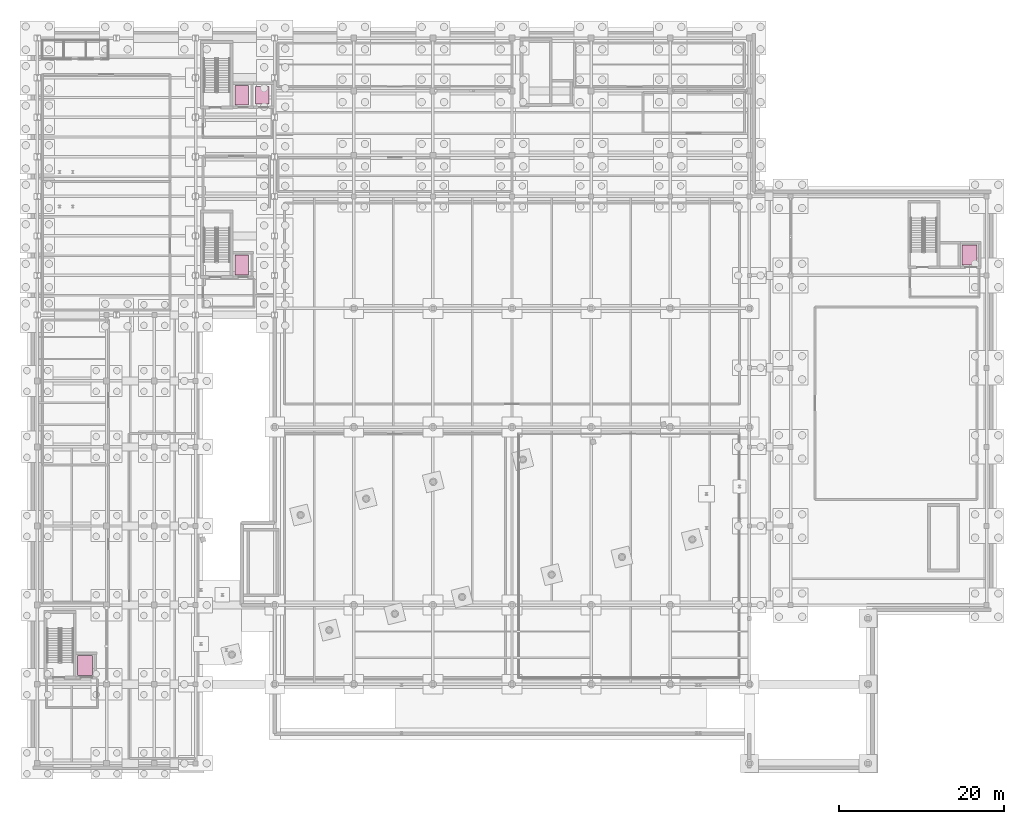
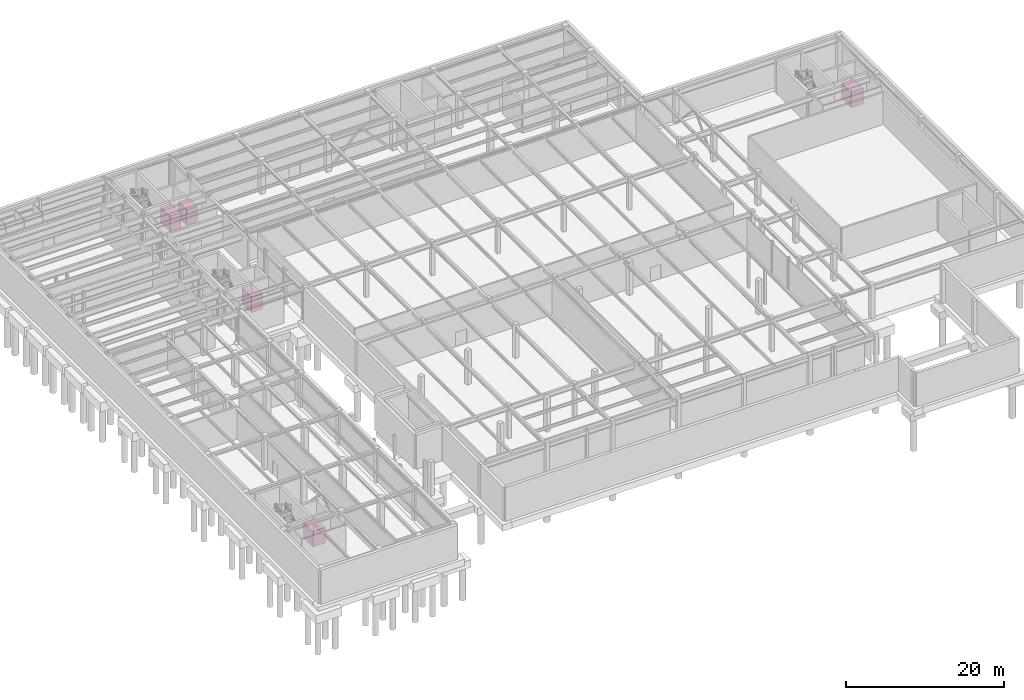
# One storey, part 33 of 33: 5 transport elements.
"""IFC4 building model written with IfcOpenShell, lengths in metres."""

import ifcopenshell
import ifcopenshell.guid

model = None  # the IFC model being written
_history = None  # IfcOwnerHistory: only IFC2X3 demands one
_inside = {}  # id of a spatial element -> (the spatial element, [elements in it])
_under = {}  # id of a project, library or spatial element -> (it, [spatial elements below it])
_declared = {}  # id of a project -> (the project, [libraries it declares])
_typed = {}  # id of a type object -> (the type object, [elements of that type])
_made_of = {}  # id of a material, layer set ... -> (it, [elements and type objects made of it])


def new_model(schema):
    """Start an empty IFC model of exactly this schema.

    Asked for "IFC4X3", IfcOpenShell would pick the latest addendum, in which some entities
    have other attributes; the version numbers below select the first issue.
    IFC2X3 requires an IfcOwnerHistory on every rooted entity: one is made here for all.
    """
    global model, _history
    if schema == "IFC4X3":
        model = ifcopenshell.file(schema_version=(4, 3, 0, 0))
    else:
        model = ifcopenshell.file(schema=schema)
    _inside.clear()
    _under.clear()
    _declared.clear()
    _typed.clear()
    _made_of.clear()
    _history = None
    if model.schema == "IFC2X3":
        org = make("IfcOrganization", Name="unknown")
        user = make(
            "IfcPersonAndOrganization",
            ThePerson=make("IfcPerson", FamilyName="unknown"),
            TheOrganization=org,
        )
        app = make(
            "IfcApplication",
            ApplicationDeveloper=org,
            Version="unknown",
            ApplicationFullName="unknown",
            ApplicationIdentifier="unknown",
        )
        _history = make(
            "IfcOwnerHistory",
            OwningUser=user,
            OwningApplication=app,
            ChangeAction="ADDED",
            CreationDate=0,
        )
    return model


def make(cls, **values):
    """One entity of the class cls with the attributes given. An attribute that is None is left unset."""
    return model.create_entity(
        cls, **{name: value for name, value in values.items() if value is not None}
    )


def rooted(cls, **values):
    """An entity with a GlobalId (a new one), such as an element, a storey or a relation."""
    return make(cls, GlobalId=ifcopenshell.guid.new(), OwnerHistory=_history, **values)


def si_unit(unit_type, name, prefix=None):
    """IfcSIUnit, for example si_unit("LENGTHUNIT", "METRE", prefix="MILLI")."""
    return make("IfcSIUnit", UnitType=unit_type, Prefix=prefix, Name=name)


def assignment(units):
    """IfcUnitAssignment: the units of a project."""
    return None if units is None else make("IfcUnitAssignment", Units=units)


def point(xyz):
    """IfcCartesianPoint."""
    return None if xyz is None else make("IfcCartesianPoint", Coordinates=xyz)


def direction(xyz):
    """IfcDirection."""
    return None if xyz is None else make("IfcDirection", DirectionRatios=xyz)


def frame(location, z_axis=None, x_axis=None):
    """IfcAxis2Placement3D, a coordinate frame: its origin and axes. An axis left out is left unset."""
    return make(
        "IfcAxis2Placement3D",
        Location=point(location),
        Axis=direction(z_axis),
        RefDirection=direction(x_axis),
    )


def frame_2d(location, x_axis=None):
    """IfcAxis2Placement2D, a coordinate frame in the plane: its origin and x axis."""
    return make(
        "IfcAxis2Placement2D", Location=point(location), RefDirection=direction(x_axis)
    )


def origin():
    """The frame at (0, 0, 0) with its axes left unset."""
    return frame((0.0, 0.0, 0.0))


def origin_2d():
    """The frame at (0, 0) in the plane with its x axis left unset."""
    return frame_2d((0.0, 0.0))


def place(relative_to, where):
    """IfcLocalPlacement: puts the frame where relative to a parent placement (None: the world)."""
    return make(
        "IfcLocalPlacement", PlacementRelTo=relative_to, RelativePlacement=where
    )


def context(
    kind, dimensions, precision=None, world=None, true_north=None, identifier=None
):
    """IfcGeometricRepresentationContext, for example the 3D "Model" context."""
    return make(
        "IfcGeometricRepresentationContext",
        ContextIdentifier=identifier,
        ContextType=kind,
        CoordinateSpaceDimension=dimensions,
        Precision=precision,
        WorldCoordinateSystem=world,
        TrueNorth=true_north,
    )


def subcontext(parent, identifier, kind, view, scale=None):
    """IfcGeometricRepresentationSubContext, for example "Body" below "Model"."""
    return make(
        "IfcGeometricRepresentationSubContext",
        ContextIdentifier=identifier,
        ContextType=kind,
        ParentContext=parent,
        TargetScale=scale,
        TargetView=view,
    )


def project(units=None, contexts=None):
    """IfcProject with its units and contexts."""
    return rooted(
        "IfcProject",
        Name="project",
        RepresentationContexts=contexts,
        UnitsInContext=assignment(units),
    )


def spatial(cls, under=None, at=None, **own):
    """A site, building, storey or space (cls), placed at a placement, below another one or the project."""
    s = rooted(cls, ObjectPlacement=at, **own)
    if under is not None:
        _under.setdefault(under.id(), (under, []))[1].append(s)
    return s


def profile(cls, at=None, kind="AREA", **sizes):
    """A parametric profile (cls). Its sizes go by their IFC names, for example OverallWidth=200.0."""
    return make(cls, ProfileType=kind, Position=at, **sizes)


def rectangle(**sizes):
    """IfcRectangleProfileDef."""
    return profile("IfcRectangleProfileDef", **sizes)


def extrude(swept, where, along, depth):
    """IfcExtrudedAreaSolid: the profile swept, set in the frame where, extruded along a direction by depth."""
    return make(
        "IfcExtrudedAreaSolid",
        SweptArea=swept,
        Position=where,
        ExtrudedDirection=direction(along),
        Depth=depth,
    )


def shape(context_of_items, identifier, shape_type, items):
    """IfcShapeRepresentation: the items that make up one representation, for example the "Body"."""
    return make(
        "IfcShapeRepresentation",
        ContextOfItems=context_of_items,
        RepresentationIdentifier=identifier,
        RepresentationType=shape_type,
        Items=items,
    )


def material(Name=None, Category=None):
    """IfcMaterial."""
    return make("IfcMaterial", Name=Name, Category=Category)


def made_of(thing, what):
    """Note that an element or type object is made of a material, layer set ...; save() writes the relation."""
    if what is not None:
        _made_of.setdefault(what.id(), (what, []))[1].append(thing)
    return thing


def type_object(cls, material=None, **own):
    """A type object (cls), such as IfcWallType, which elements share."""
    return made_of(rooted(cls, **own), material)


def element(
    cls,
    number,
    at=None,
    inside=None,
    cuts=None,
    type_object=None,
    material=None,
    context=None,
    identifier="Body",
    shape_type=None,
    held_by="IfcProductDefinitionShape",
    body=None,
    shapes=None,
    **own,
):
    """One element of the class cls, such as IfcWall. Its Tag is "e" and its number.

    at: its placement. inside: the storey or other place that contains it. cuts: it is an
    opening in that element (IfcRelVoidsElement). A single representation is given by context,
    identifier, shape_type and body (its items); several are given by shapes. held_by: the class
    of the entity that holds the representations. save() writes the other relations.
    """
    e = rooted(cls, Tag="e%d" % number, ObjectPlacement=at, **own)
    if body is not None:
        shapes = [shape(context, identifier, shape_type, body)]
    if shapes is not None:
        e.Representation = make(held_by, Representations=shapes)
    if inside is not None:
        _inside.setdefault(inside.id(), (inside, []))[1].append(e)
    if cuts is not None:
        rooted(
            "IfcRelVoidsElement", RelatingBuildingElement=cuts, RelatedOpeningElement=e
        )
    if type_object is not None:
        _typed.setdefault(type_object.id(), (type_object, []))[1].append(e)
    return made_of(e, material)


def aggregate(whole, parts):
    """IfcRelAggregates: a whole, such as a stair, and the parts it consists of."""
    return rooted("IfcRelAggregates", RelatingObject=whole, RelatedObjects=parts)


def save(model, path):
    """Write the relations noted so far, then the file.

    IfcRelAggregates (storeys below a building ...), IfcRelContainedInSpatialStructure (elements
    in a storey), IfcRelDefinesByType, IfcRelAssociatesMaterial and IfcRelDeclares: one each for
    every whole, place, type object, material and project.
    """
    for whole, parts in _under.values():
        aggregate(whole, parts)
    for where, things in _inside.values():
        rooted(
            "IfcRelContainedInSpatialStructure",
            RelatedElements=things,
            RelatingStructure=where,
        )
    for kind, things in _typed.values():
        rooted("IfcRelDefinesByType", RelatedObjects=things, RelatingType=kind)
    for what, things in _made_of.values():
        rooted("IfcRelAssociatesMaterial", RelatedObjects=things, RelatingMaterial=what)
    for by, libraries in _declared.values():
        rooted("IfcRelDeclares", RelatingContext=by, RelatedDefinitions=libraries)
    model.write(path)


model = new_model("IFC4")

# Units and contexts
model_context = context("Model", 3, precision=1e-05, world=origin(), true_north=direction((0.0, 1.0)))
body_context = subcontext(model_context, "Body", "Model", "MODEL_VIEW")
ifc_project = project(units=[si_unit("LENGTHUNIT", "METRE"), si_unit("AREAUNIT", "SQUARE_METRE"), si_unit("VOLUMEUNIT", "CUBIC_METRE"), si_unit("PLANEANGLEUNIT", "RADIAN"), si_unit("MASSUNIT", "GRAM", prefix="KILO")], contexts=[model_context])

# Site, building, storey
site_placement = place(None, origin())
site = spatial("IfcSite", under=ifc_project, at=site_placement, CompositionType="ELEMENT")
building_placement = place(site_placement, origin())
building = spatial("IfcBuilding", under=site, at=building_placement, Name="Nordkorset Police Headquarters", CompositionType="ELEMENT")
storey_placement = place(building_placement, frame((0.0, 0.0, -9.800048828125)))
storey = spatial("IfcBuildingStorey", under=building, at=storey_placement, Name="B02", CompositionType="ELEMENT", Elevation=-9.800048828125)

# Transport elements
ifc_material_1 = material(Name="Steel S355J2", Category="steel")
transport_element_type_1 = type_object("IfcTransportElementType", Name="Lift_Firefighting_1800kg", PredefinedType="ELEVATOR", material=ifc_material_1)
for number, where, z_axis, x_axis, name in (
    (1, (24.800048828125, 109.875, 0.0), (0.0, 0.0, 1.0), (1.0, 0.0, 0.0), "Firefighting Lift LF-01"),
    (2, (24.800048828125, 89.27490234375, 0.0), (0.0, 0.0, 1.0), (1.0, 0.0, 0.0), "Firefighting Lift LF-03"),
):
    element("IfcTransportElement", number, at=place(storey_placement, frame(where, z_axis=z_axis, x_axis=x_axis)), inside=storey, type_object=transport_element_type_1, Name=name, PredefinedType="ELEVATOR", context=body_context, shape_type="SweptSolid", body=[
        extrude(rectangle(XDim=1.60009765625, YDim=2.39990234375, at=origin_2d()), origin(), (0.0, 0.0, 1.0), 2.39990234375),
    ])
ifc_material_2 = material(Name="Steel S355J2", Category="steel")
transport_element_type_2 = type_object("IfcTransportElementType", Name="Lift_Goods_2500kg", PredefinedType="ELEVATOR", material=ifc_material_2)
for number, where, z_axis, x_axis, name in (
    (3, (5.800048828125, 40.675048828125, 0.0), (0.0, 0.0, 1.0), (1.0, 0.0, 0.0), "Forensic Goods Lift LF-06"),
    (4, (113.10009765625, 90.47509765625, 0.0), (0.0, 0.0, 1.0), (1.0, 0.0, 0.0), "Tactical Equipment Lift LF-07"),
):
    element("IfcTransportElement", number, at=place(storey_placement, frame(where, z_axis=z_axis, x_axis=x_axis)), inside=storey, type_object=transport_element_type_2, Name=name, PredefinedType="ELEVATOR", context=body_context, shape_type="SweptSolid", body=[
        extrude(rectangle(XDim=1.800048828125, YDim=2.39990234375, at=origin_2d()), origin(), (0.0, 0.0, 1.0), 2.39990234375),
    ])
ifc_material_3 = material(Name="Steel S355J2", Category="steel")
transport_element_type_3 = type_object("IfcTransportElementType", Name="Lift_Passenger_1600kg", PredefinedType="ELEVATOR", material=ifc_material_3)
transport_element_placement = place(storey_placement, frame((27.300048828125, 109.875, 0.0), z_axis=(0.0, 0.0, 1.0), x_axis=(1.0, 0.0, 0.0)))
element("IfcTransportElement", 5, at=transport_element_placement, inside=storey, type_object=transport_element_type_3, Name="Passenger Lift LF-02", PredefinedType="ELEVATOR", context=body_context, shape_type="SweptSolid", body=[
    extrude(rectangle(XDim=1.60009765625, YDim=2.10009765625, at=origin_2d()), origin(), (0.0, 0.0, 1.0), 2.39990234375),
])

save(model, "model.ifc")
